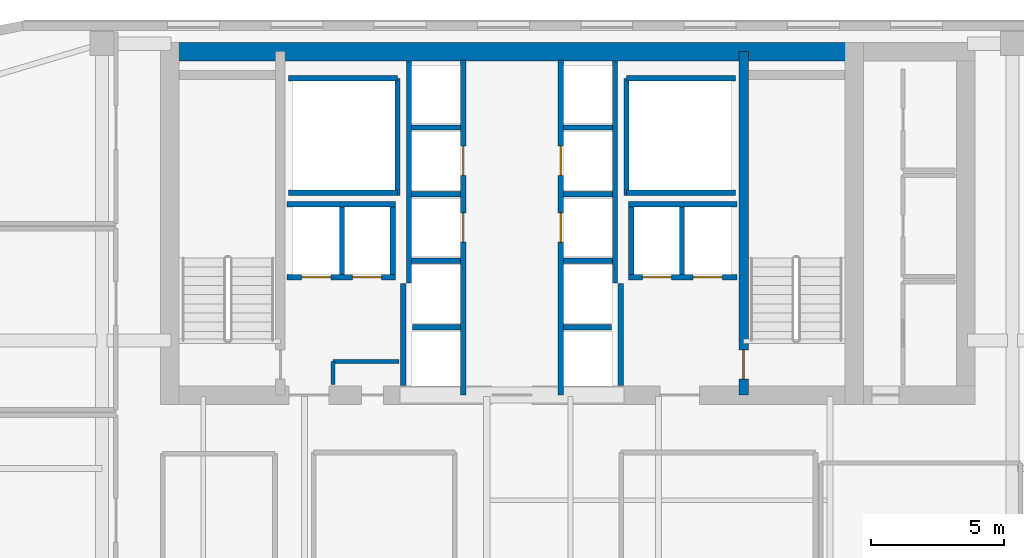
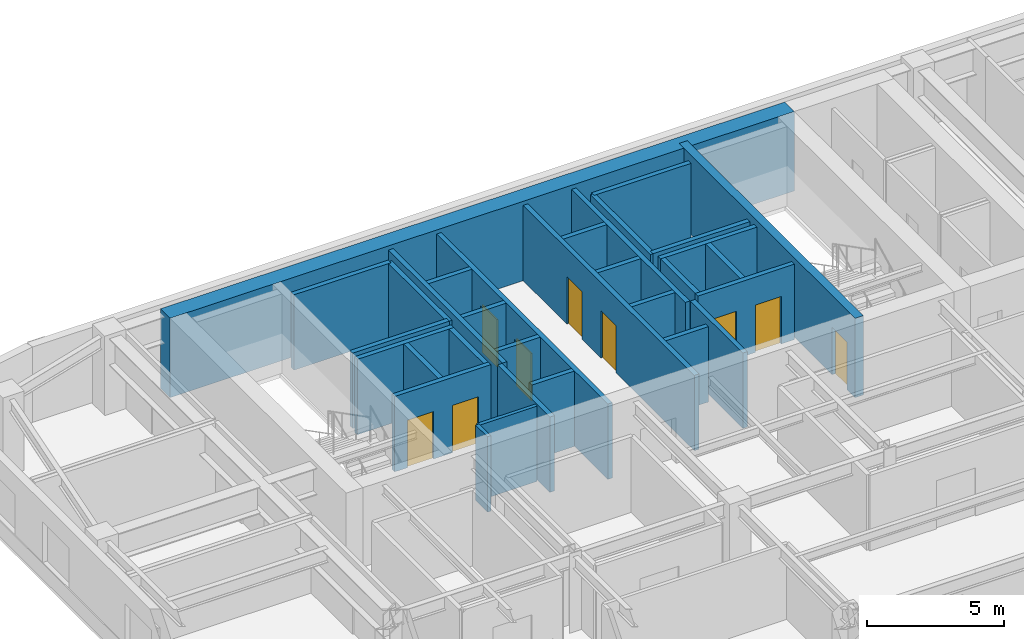
# One storey, part 18 of 25: 32 walls, 9 doors, 9 openings.
"""IFC4 building model written with IfcOpenShell, lengths in metres."""

from ifc_helpers import new_model, si_unit, direction, frame, frame_2d, origin, place, context, subcontext, project, spatial, rectangle, extrude, source, transform, mapped, material, layer, layer_set, type_object, type_shapes, element, fill, save


model = new_model("IFC4")

# Units and contexts
model_context = context("Model", 3, precision=1e-05, world=origin(), true_north=direction((0.0, 1.0)))
body_context = subcontext(model_context, "Body", "Model", "MODEL_VIEW")
ifc_project = project(units=[si_unit("LENGTHUNIT", "METRE"), si_unit("AREAUNIT", "SQUARE_METRE"), si_unit("VOLUMEUNIT", "CUBIC_METRE"), si_unit("PLANEANGLEUNIT", "RADIAN"), si_unit("MASSUNIT", "GRAM", prefix="KILO")], contexts=[model_context])

# Site, building, storey
site_placement = place(None, origin())
site = spatial("IfcSite", under=ifc_project, at=site_placement, CompositionType="ELEMENT")
building_placement = place(site_placement, origin())
building = spatial("IfcBuilding", under=site, at=building_placement, Name="Tolvann Quenvar Hotel", CompositionType="ELEMENT")
storey_placement = place(building_placement, frame((0.0, 0.0, 111.550048828125)))
storey = spatial("IfcBuildingStorey", under=building, at=storey_placement, Name="L28", CompositionType="ELEMENT", Elevation=111.550048828125)

# Wall
ifc_material_1 = material(Name="Concrete S65 (65 MPa)", Category="concrete")
ifc_layer_1 = layer(ifc_material_1, 0.699951171875)
ifc_layer_set_1 = layer_set([ifc_layer_1], Name="Concrete S65 (65 MPa)")
wall_type_1 = type_object("IfcWallType", Name="WALL_CORE_700", PredefinedType="SHEAR", material=ifc_layer_set_1)
wall_1_placement = place(storey_placement, frame((9.800048828125, 44.85009765625, 0.0), z_axis=(0.0, 0.0, 1.0), x_axis=(1.0, 0.0, 0.0)))
element("IfcWall", 1, at=wall_1_placement, inside=storey, type_object=wall_type_1, Name="Rear Core N Shear Wall (L28)", PredefinedType="SHEAR", context=body_context, shape_type="SweptSolid", body=[
    extrude(rectangle(XDim=26.39990234375, YDim=0.699951171875, at=frame_2d((13.199951171875, 0.0))), origin(), (0.0, 0.0, 1.0), 3.550048828125),
])

# Wall, opening, door
ifc_layer_2 = layer(ifc_material_1, 0.35009765625)
ifc_layer_set_2 = layer_set([ifc_layer_2], Name="Concrete S65 (65 MPa)")
wall_type_2 = type_object("IfcWallType", Name="WALL_CORE_INT_350", PredefinedType="SHEAR", material=ifc_layer_set_2)
wall_2_placement = place(storey_placement, frame((31.699951171875, 31.949951171875, 0.0), z_axis=(0.0, 0.0, 1.0), x_axis=(0.0, 1.0, 0.0)))
wall_2 = element("IfcWall", 2, at=wall_2_placement, inside=storey, type_object=wall_type_2, Name="Core Internal Web Shear Wall WEB-E (L28)", PredefinedType="SHEAR", context=body_context, shape_type="SweptSolid", body=[
    extrude(rectangle(XDim=12.900146484375, YDim=0.35009765625, at=frame_2d((6.4501953125, 0.0))), origin(), (0.0, 0.0, 1.0), 3.550048828125),
])
opening_1_placement = place(wall_2_placement, frame((1.7001953125, 0.0, 0.0), z_axis=(0.0, 0.0, 1.0), x_axis=(-1.0, 0.0, 0.0)))
opening_1 = element("IfcOpeningElement", 3, at=opening_1_placement, cuts=wall_2, Name="Opening FD-120", PredefinedType="OPENING", context=body_context, shape_type="SweptSolid", body=[
    extrude(rectangle(XDim=1.10009765625, YDim=2.1201171875, at=frame_2d((0.550048828125, 1.06005859375))), frame((0.0, 0.18505859375, 0.0), z_axis=(0.0, -1.0, 0.0), x_axis=(1.0, 0.0, 0.0)), (0.0, 0.0, 1.0), 0.3701171875),
])
ifc_material_2 = material(Name="Pressed galvanised steel fire-rated door set", Category="steel")
door_type_1 = type_object("IfcDoorType", Name="DOOR_FIRE_STAIR_1100", OperationType="NOTDEFINED", PredefinedType="DOOR", material=ifc_material_2)
shared_shape_1 = source(origin(), body_context, "Body", "SweptSolid", [
    extrude(rectangle(XDim=1.10009765625, YDim=2.1201171875, at=frame_2d((0.550048828125, 1.06005859375))), frame((0.0, 0.02490234375, 0.0), z_axis=(0.0, -1.0, 0.0), x_axis=(1.0, 0.0, 0.0)), (0.0, 0.0, 1.0), 0.050048828125),
])
type_shapes(door_type_1, [shared_shape_1])
door_1_placement = place(opening_1_placement, origin())
door_1 = element("IfcDoor", 4, at=door_1_placement, inside=storey, type_object=door_type_1, Name="Exit Stair ST-C2 Fire Door (L28)", OperationType="SINGLE_SWING_RIGHT", OverallHeight=2.1201171875, OverallWidth=1.10009765625, PredefinedType="DOOR", context=body_context, shape_type="MappedRepresentation", body=[
    mapped(shared_shape_1, transform((0.0, 0.0, 0.0), x_axis=(1.0, 0.0, 0.0), y_axis=(0.0, 1.0, 0.0), z_axis=(0.0, 0.0, 1.0), scale=1.0)),
])
fill(opening_1, door_1)

# Walls
ifc_material_3 = material(Name="Acoustic twin-stud fire-rated gypsum plasterboard partition")
ifc_layer_3 = layer(ifc_material_3, 0.14990234375)
ifc_layer_set_3 = layer_set([ifc_layer_3], Name="Acoustic twin-stud fire-rated gypsum plasterboard partition")
wall_type_3 = type_object("IfcWallType", Name="WALL_PART_SUITE_150", PredefinedType="PARTITIONING", material=ifc_layer_set_3)
wall_3_placement = place(storey_placement, frame((16.280029296875, 33.219970703125, 0.0), z_axis=(0.0, 0.0, 1.0), x_axis=(1.0, 0.0, 0.0)))
element("IfcWall", 5, at=wall_3_placement, inside=storey, type_object=wall_type_3, Name="Interior Partition PT-SPC-L28-CSW-1-N", PredefinedType="PARTITIONING", context=body_context, shape_type="SweptSolid", body=[
    extrude(rectangle(XDim=2.48486328125, YDim=0.14990234375, at=frame_2d((1.242431640625, 0.0))), origin(), (0.0, 0.0, 1.0), 3.369873046875),
])
wall_4_placement = place(storey_placement, frame((16.280029296875, 32.35498046875, 0.0), z_axis=(0.0, 0.0, 1.0), x_axis=(0.0, 1.0, 0.0)))
element("IfcWall", 6, at=wall_4_placement, inside=storey, type_object=wall_type_3, Name="Interior Partition PT-SPC-L28-CSW-1-W", PredefinedType="PARTITIONING", context=body_context, shape_type="SweptSolid", body=[
    extrude(rectangle(XDim=0.864990234375, YDim=0.14990234375, at=frame_2d((0.4326171875, 0.0))), origin(), (0.0, 0.0, 1.0), 3.369873046875),
])
ifc_material_4 = material(Name="Concrete N40 (40 MPa)", Category="concrete")
ifc_layer_4 = layer(ifc_material_4, 0.199951171875)
ifc_layer_set_4 = layer_set([ifc_layer_4], Name="Concrete N40 (40 MPa)")
wall_type_4 = type_object("IfcWallType", Name="WALL_SHAFT_200", PredefinedType="SOLIDWALL", material=ifc_layer_set_4)
wall_5_placement = place(storey_placement, frame((18.699951171875, 39.449951171875, 0.0), z_axis=(0.0, 0.0, 1.0), x_axis=(0.0, 1.0, 0.0)))
element("IfcWall", 7, at=wall_5_placement, inside=storey, type_object=wall_type_4, Name="Service Riser W Shaft Wall IN (L28)", PredefinedType="SOLIDWALL", context=body_context, shape_type="SweptSolid", body=[
    extrude(rectangle(XDim=4.400146484375, YDim=0.199951171875, at=frame_2d((2.2001953125, 0.0))), origin(), (0.0, 0.0, 1.0), 3.369873046875),
])
for number, where, z_axis, x_axis, name in (
    (8, (14.60009765625, 39.550048828125, 0.0), (0.0, 0.0, 1.0), (1.0, 0.0, 0.0), "Service Riser W Shaft Wall S (L28)"),
    (9, (14.60009765625, 43.85009765625, 0.0), (0.0, 0.0, 1.0), (1.0, 0.0, 0.0), "Service Riser W Shaft Wall N (L28)"),
):
    element("IfcWall", number, at=place(storey_placement, frame(where, z_axis=z_axis, x_axis=x_axis)), inside=storey, type_object=wall_type_4, Name=name, PredefinedType="SOLIDWALL", context=body_context, shape_type="SweptSolid", body=[
        extrude(rectangle(XDim=4.099853515625, YDim=0.199951171875, at=frame_2d((2.0498046875, 0.0))), origin(), (0.0, 0.0, 1.0), 3.369873046875),
    ])
wall_6_placement = place(storey_placement, frame((27.300048828125, 39.449951171875, 0.0), z_axis=(0.0, 0.0, 1.0), x_axis=(0.0, 1.0, 0.0)))
element("IfcWall", 10, at=wall_6_placement, inside=storey, type_object=wall_type_4, Name="Service Riser E Shaft Wall IN (L28)", PredefinedType="SOLIDWALL", context=body_context, shape_type="SweptSolid", body=[
    extrude(rectangle(XDim=4.400146484375, YDim=0.199951171875, at=frame_2d((2.2001953125, 0.0))), origin(), (0.0, 0.0, 1.0), 3.369873046875),
])
for number, where, z_axis, x_axis, name in (
    (11, (27.300048828125, 39.550048828125, 0.0), (0.0, 0.0, 1.0), (1.0, 0.0, 0.0), "Service Riser E Shaft Wall S (L28)"),
    (12, (27.300048828125, 43.85009765625, 0.0), (0.0, 0.0, 1.0), (1.0, 0.0, 0.0), "Service Riser E Shaft Wall N (L28)"),
):
    element("IfcWall", number, at=place(storey_placement, frame(where, z_axis=z_axis, x_axis=x_axis)), inside=storey, type_object=wall_type_4, Name=name, PredefinedType="SOLIDWALL", context=body_context, shape_type="SweptSolid", body=[
        extrude(rectangle(XDim=4.099853515625, YDim=0.199951171875, at=frame_2d((2.0498046875, 0.0))), origin(), (0.0, 0.0, 1.0), 3.369873046875),
    ])
for number, where, z_axis, x_axis, name in (
    (13, (18.919921875, 32.303955078125, 0.0), (0.0, 0.0, 1.0), (0.0, 1.0, 0.0), "Firefighting Lobby W Inner Fire Wall (L28)"),
    (14, (27.080078125, 32.303955078125, 0.0), (0.0, 0.0, 1.0), (0.0, 1.0, 0.0), "Firefighting Lobby E Inner Fire Wall (L28)"),
):
    element("IfcWall", number, at=place(storey_placement, frame(where, z_axis=z_axis, x_axis=x_axis)), inside=storey, type_object=wall_type_4, Name=name, PredefinedType="SOLIDWALL", context=body_context, shape_type="SweptSolid", body=[
        extrude(rectangle(XDim=3.845947265625, YDim=0.199951171875, at=frame_2d((1.9228515625, 0.0))), origin(), (0.0, 0.0, 1.0), 3.369873046875),
    ])

# Wall, openings, doors
wall_7_placement = place(storey_placement, frame((21.169921875, 31.9599609375, 0.0), z_axis=(0.0, 0.0, 1.0), x_axis=(0.0, 1.0, 0.0)))
wall_7 = element("IfcWall", 15, at=wall_7_placement, inside=storey, type_object=wall_type_4, Name="Lift Bank E21.1C1 Hoistway Front Wall (L28)", PredefinedType="SOLIDWALL", context=body_context, shape_type="SweptSolid", body=[
    extrude(rectangle(XDim=12.580078125, YDim=0.199951171875, at=frame_2d((6.2900390625, 0.0))), origin(), (0.0, 0.0, 1.0), 3.369873046875),
])
opening_2_placement = place(wall_7_placement, frame((5.739990234375, 0.0, 0.0)))
opening_2 = element("IfcOpeningElement", 16, at=opening_2_placement, cuts=wall_7, Name="Opening LD-01", PredefinedType="OPENING", context=body_context, shape_type="SweptSolid", body=[
    extrude(rectangle(XDim=1.10009765625, YDim=2.1201171875, at=frame_2d((0.550048828125, 1.06005859375))), frame((0.0, 0.10986328125, 0.0), z_axis=(0.0, -1.0, 0.0), x_axis=(1.0, 0.0, 0.0)), (0.0, 0.0, 1.0), 0.219970703125),
])
opening_3_placement = place(wall_7_placement, frame((8.239990234375, 0.0, 0.0)))
opening_3 = element("IfcOpeningElement", 17, at=opening_3_placement, cuts=wall_7, Name="Opening LD-01", PredefinedType="OPENING", context=body_context, shape_type="SweptSolid", body=[
    extrude(rectangle(XDim=1.10009765625, YDim=2.1201171875, at=frame_2d((0.550048828125, 1.06005859375))), frame((0.0, 0.10986328125, 0.0), z_axis=(0.0, -1.0, 0.0), x_axis=(1.0, 0.0, 0.0)), (0.0, 0.0, 1.0), 0.219970703125),
])
ifc_material_5 = material(Name="Brushed 316 stainless steel automatic sliding lift landing door", Category="steel")
door_type_2 = type_object("IfcDoorType", Name="DOOR_LIFT_SLIDE_1100", OperationType="NOTDEFINED", PredefinedType="DOOR", material=ifc_material_5)
shared_shape_2 = source(origin(), body_context, "Body", "SweptSolid", [
    extrude(rectangle(XDim=1.10009765625, YDim=2.1201171875, at=frame_2d((0.550048828125, 1.06005859375))), frame((0.0, 0.02490234375, 0.0), z_axis=(0.0, -1.0, 0.0), x_axis=(1.0, 0.0, 0.0)), (0.0, 0.0, 1.0), 0.050048828125),
])
type_shapes(door_type_2, [shared_shape_2])
door_2_placement = place(opening_2_placement, origin())
door_2 = element("IfcDoor", 18, at=door_2_placement, inside=storey, type_object=door_type_2, Name="Lift PM-1 Sliding Landing Door (L28)", OperationType="SLIDING_TO_RIGHT", OverallHeight=2.1201171875, OverallWidth=1.10009765625, PredefinedType="DOOR", context=body_context, shape_type="MappedRepresentation", body=[
    mapped(shared_shape_2, transform((0.0, 0.0, 0.0), x_axis=(1.0, 0.0, 0.0), y_axis=(0.0, 1.0, 0.0), z_axis=(0.0, 0.0, 1.0), scale=1.0)),
])
fill(opening_2, door_2)
door_3_placement = place(opening_3_placement, origin())
door_3 = element("IfcDoor", 19, at=door_3_placement, inside=storey, type_object=door_type_2, Name="Lift PM-2 Sliding Landing Door (L28)", OperationType="SLIDING_TO_LEFT", OverallHeight=2.1201171875, OverallWidth=1.10009765625, PredefinedType="DOOR", context=body_context, shape_type="MappedRepresentation", body=[
    mapped(shared_shape_2, transform((0.0, 0.0, 0.0), x_axis=(1.0, 0.0, 0.0), y_axis=(0.0, 1.0, 0.0), z_axis=(0.0, 0.0, 1.0), scale=1.0)),
])
fill(opening_3, door_3)

# Walls
wall_8_placement = place(storey_placement, frame((19.1298828125, 36.159912109375, 0.0), z_axis=(0.0, 0.0, 1.0), x_axis=(0.0, 1.0, 0.0)))
element("IfcWall", 20, at=wall_8_placement, inside=storey, type_object=wall_type_4, Name="Lift Bank E21.1C1 Hoistway Rear Wall (L28)", PredefinedType="SOLIDWALL", context=body_context, shape_type="SweptSolid", body=[
    extrude(rectangle(XDim=8.336181640625, YDim=0.199951171875, at=frame_2d((4.16796875, 0.0))), origin(), (0.0, 0.0, 1.0), 3.369873046875),
])
wall_9_placement = place(storey_placement, frame((19.27001953125, 34.5, 0.0), z_axis=(0.0, 0.0, 1.0), x_axis=(1.0, 0.0, 0.0)))
element("IfcWall", 21, at=wall_9_placement, inside=storey, type_object=wall_type_4, Name="Lift Bank E21.1C1 Divider Wall 1 (L28)", PredefinedType="SOLIDWALL", context=body_context, shape_type="SweptSolid", body=[
    extrude(rectangle(XDim=1.800048828125, YDim=0.199951171875, at=frame_2d((0.89990234375, 0.0))), origin(), (0.0, 0.0, 1.0), 3.369873046875),
])
for number, where, z_axis, x_axis, name in (
    (22, (19.22998046875, 37.0, 0.0), (0.0, 0.0, 1.0), (1.0, 0.0, 0.0), "Lift Bank E21.1C1 Divider Wall 2 (L28)"),
    (23, (19.22998046875, 39.5, 0.0), (0.0, 0.0, 1.0), (1.0, 0.0, 0.0), "Lift Bank E21.1C1 Divider Wall 3 (L28)"),
    (24, (19.22998046875, 42.0, 0.0), (0.0, 0.0, 1.0), (1.0, 0.0, 0.0), "Lift Bank E21.1C1 Divider Wall 4 (L28)"),
):
    element("IfcWall", number, at=place(storey_placement, frame(where, z_axis=z_axis, x_axis=x_axis)), inside=storey, type_object=wall_type_4, Name=name, PredefinedType="SOLIDWALL", context=body_context, shape_type="SweptSolid", body=[
        extrude(rectangle(XDim=1.840087890625, YDim=0.199951171875, at=frame_2d((0.919921875, 0.0))), origin(), (0.0, 0.0, 1.0), 3.369873046875),
    ])

# Wall, openings, doors
wall_10_placement = place(storey_placement, frame((27.375, 36.3798828125, 0.0), z_axis=(0.0, 0.0, 1.0), x_axis=(1.0, 0.0, 0.0)))
wall_10 = element("IfcWall", 25, at=wall_10_placement, inside=storey, type_object=wall_type_4, Name="Lift Bank SEC1 Hoistway Front Wall (L28)", PredefinedType="SOLIDWALL", context=body_context, shape_type="SweptSolid", body=[
    extrude(rectangle(XDim=4.074951171875, YDim=0.199951171875, at=frame_2d((2.03759765625, 0.0))), origin(), (0.0, 0.0, 1.0), 3.369873046875),
])
opening_4_placement = place(wall_10_placement, frame((0.52490234375, 0.0, 0.0)))
opening_4 = element("IfcOpeningElement", 26, at=opening_4_placement, cuts=wall_10, Name="Opening LD-01", PredefinedType="OPENING", context=body_context, shape_type="SweptSolid", body=[
    extrude(rectangle(XDim=1.10009765625, YDim=2.1201171875, at=frame_2d((0.550048828125, 1.06005859375))), frame((0.0, 0.10986328125, 0.0), z_axis=(0.0, -1.0, 0.0), x_axis=(1.0, 0.0, 0.0)), (0.0, 0.0, 1.0), 0.219970703125),
])
opening_5_placement = place(wall_10_placement, frame((2.425048828125, 0.0, 0.0)))
opening_5 = element("IfcOpeningElement", 27, at=opening_5_placement, cuts=wall_10, Name="Opening LD-01", PredefinedType="OPENING", context=body_context, shape_type="SweptSolid", body=[
    extrude(rectangle(XDim=1.10009765625, YDim=2.1201171875, at=frame_2d((0.550048828125, 1.06005859375))), frame((0.0, 0.10986328125, 0.0), z_axis=(0.0, -1.0, 0.0), x_axis=(1.0, 0.0, 0.0)), (0.0, 0.0, 1.0), 0.219970703125),
])
door_4_placement = place(opening_4_placement, origin())
door_4 = element("IfcDoor", 28, at=door_4_placement, inside=storey, type_object=door_type_2, Name="Lift SV-2 Sliding Landing Door (L28)", OperationType="SLIDING_TO_LEFT", OverallHeight=2.1201171875, OverallWidth=1.10009765625, PredefinedType="DOOR", context=body_context, shape_type="MappedRepresentation", body=[
    mapped(shared_shape_2, transform((0.0, 0.0, 0.0), x_axis=(1.0, 0.0, 0.0), y_axis=(0.0, 1.0, 0.0), z_axis=(0.0, 0.0, 1.0), scale=1.0)),
])
fill(opening_4, door_4)
door_5_placement = place(opening_5_placement, origin())
door_5 = element("IfcDoor", 29, at=door_5_placement, inside=storey, type_object=door_type_2, Name="Lift FF-2 Sliding Landing Door (L28)", OperationType="SLIDING_TO_RIGHT", OverallHeight=2.1201171875, OverallWidth=1.10009765625, PredefinedType="DOOR", context=body_context, shape_type="MappedRepresentation", body=[
    mapped(shared_shape_2, transform((0.0, 0.0, 0.0), x_axis=(1.0, 0.0, 0.0), y_axis=(0.0, 1.0, 0.0), z_axis=(0.0, 0.0, 1.0), scale=1.0)),
])
fill(opening_5, door_5)

# Walls
wall_11_placement = place(storey_placement, frame((27.375, 39.1201171875, 0.0), z_axis=(0.0, 0.0, 1.0), x_axis=(1.0, 0.0, 0.0)))
element("IfcWall", 30, at=wall_11_placement, inside=storey, type_object=wall_type_4, Name="Lift Bank SEC1 Hoistway Rear Wall (L28)", PredefinedType="SOLIDWALL", context=body_context, shape_type="SweptSolid", body=[
    extrude(rectangle(XDim=4.074951171875, YDim=0.199951171875, at=frame_2d((2.03759765625, 0.0))), origin(), (0.0, 0.0, 1.0), 3.369873046875),
])
for number, where, z_axis, x_axis, name in (
    (31, (27.47509765625, 36.47998046875, 0.0), (0.0, 0.0, 1.0), (0.0, 1.0, 0.0), "Lift Bank SEC1 Hoistway Cheek Wall 1 (L28)"),
    (32, (29.387451171875, 36.47998046875, 0.0), (0.0, 0.0, 1.0), (0.0, 1.0, 0.0), "Lift Bank SEC1 Divider Wall 1 (L28)"),
):
    element("IfcWall", number, at=place(storey_placement, frame(where, z_axis=z_axis, x_axis=x_axis)), inside=storey, type_object=wall_type_4, Name=name, PredefinedType="SOLIDWALL", context=body_context, shape_type="SweptSolid", body=[
        extrude(rectangle(XDim=2.5400390625, YDim=0.199951171875, at=frame_2d((1.27001953125, 0.0))), origin(), (0.0, 0.0, 1.0), 3.369873046875),
    ])

# Wall, openings, doors
wall_12_placement = place(storey_placement, frame((14.550048828125, 36.3798828125, 0.0), z_axis=(0.0, 0.0, 1.0), x_axis=(1.0, 0.0, 0.0)))
wall_12 = element("IfcWall", 33, at=wall_12_placement, inside=storey, type_object=wall_type_4, Name="Lift Bank SWC1 Hoistway Front Wall (L28)", PredefinedType="SOLIDWALL", context=body_context, shape_type="SweptSolid", body=[
    extrude(rectangle(XDim=4.074951171875, YDim=0.199951171875, at=frame_2d((2.03759765625, 0.0))), origin(), (0.0, 0.0, 1.0), 3.369873046875),
])
opening_6_placement = place(wall_12_placement, frame((0.550048828125, 0.0, 0.0)))
opening_6 = element("IfcOpeningElement", 34, at=opening_6_placement, cuts=wall_12, Name="Opening LD-01", PredefinedType="OPENING", context=body_context, shape_type="SweptSolid", body=[
    extrude(rectangle(XDim=1.10009765625, YDim=2.1201171875, at=frame_2d((0.550048828125, 1.06005859375))), frame((0.0, 0.10986328125, 0.0), z_axis=(0.0, -1.0, 0.0), x_axis=(1.0, 0.0, 0.0)), (0.0, 0.0, 1.0), 0.219970703125),
])
opening_7_placement = place(wall_12_placement, frame((2.449951171875, 0.0, 0.0)))
opening_7 = element("IfcOpeningElement", 35, at=opening_7_placement, cuts=wall_12, Name="Opening LD-01", PredefinedType="OPENING", context=body_context, shape_type="SweptSolid", body=[
    extrude(rectangle(XDim=1.10009765625, YDim=2.1201171875, at=frame_2d((0.550048828125, 1.06005859375))), frame((0.0, 0.10986328125, 0.0), z_axis=(0.0, -1.0, 0.0), x_axis=(1.0, 0.0, 0.0)), (0.0, 0.0, 1.0), 0.219970703125),
])
door_6_placement = place(opening_6_placement, origin())
door_6 = element("IfcDoor", 36, at=door_6_placement, inside=storey, type_object=door_type_2, Name="Lift FF-1 Sliding Landing Door (L28)", OperationType="SLIDING_TO_LEFT", OverallHeight=2.1201171875, OverallWidth=1.10009765625, PredefinedType="DOOR", context=body_context, shape_type="MappedRepresentation", body=[
    mapped(shared_shape_2, transform((0.0, 0.0, 0.0), x_axis=(1.0, 0.0, 0.0), y_axis=(0.0, 1.0, 0.0), z_axis=(0.0, 0.0, 1.0), scale=1.0)),
])
fill(opening_6, door_6)
door_7_placement = place(opening_7_placement, origin())
door_7 = element("IfcDoor", 37, at=door_7_placement, inside=storey, type_object=door_type_2, Name="Lift SV-1 Sliding Landing Door (L28)", OperationType="SLIDING_TO_RIGHT", OverallHeight=2.1201171875, OverallWidth=1.10009765625, PredefinedType="DOOR", context=body_context, shape_type="MappedRepresentation", body=[
    mapped(shared_shape_2, transform((0.0, 0.0, 0.0), x_axis=(1.0, 0.0, 0.0), y_axis=(0.0, 1.0, 0.0), z_axis=(0.0, 0.0, 1.0), scale=1.0)),
])
fill(opening_7, door_7)

# Walls
wall_13_placement = place(storey_placement, frame((14.550048828125, 39.1201171875, 0.0), z_axis=(0.0, 0.0, 1.0), x_axis=(1.0, 0.0, 0.0)))
element("IfcWall", 38, at=wall_13_placement, inside=storey, type_object=wall_type_4, Name="Lift Bank SWC1 Hoistway Rear Wall (L28)", PredefinedType="SOLIDWALL", context=body_context, shape_type="SweptSolid", body=[
    extrude(rectangle(XDim=4.074951171875, YDim=0.199951171875, at=frame_2d((2.03759765625, 0.0))), origin(), (0.0, 0.0, 1.0), 3.369873046875),
])
for number, where, z_axis, x_axis, name in (
    (39, (18.52490234375, 36.47998046875, 0.0), (0.0, 0.0, 1.0), (0.0, 1.0, 0.0), "Lift Bank SWC1 Hoistway Cheek Wall 2 (L28)"),
    (40, (16.612548828125, 36.47998046875, 0.0), (0.0, 0.0, 1.0), (0.0, 1.0, 0.0), "Lift Bank SWC1 Divider Wall 1 (L28)"),
):
    element("IfcWall", number, at=place(storey_placement, frame(where, z_axis=z_axis, x_axis=x_axis)), inside=storey, type_object=wall_type_4, Name=name, PredefinedType="SOLIDWALL", context=body_context, shape_type="SweptSolid", body=[
        extrude(rectangle(XDim=2.5400390625, YDim=0.199951171875, at=frame_2d((1.27001953125, 0.0))), origin(), (0.0, 0.0, 1.0), 3.369873046875),
    ])

# Wall, openings, doors
wall_14_placement = place(storey_placement, frame((24.830078125, 31.9599609375, 0.0), z_axis=(0.0, 0.0, 1.0), x_axis=(0.0, 1.0, 0.0)))
wall_14 = element("IfcWall", 41, at=wall_14_placement, inside=storey, type_object=wall_type_4, Name="Lift Bank W24.9C1 Hoistway Front Wall (L28)", PredefinedType="SOLIDWALL", context=body_context, shape_type="SweptSolid", body=[
    extrude(rectangle(XDim=12.580078125, YDim=0.199951171875, at=frame_2d((6.2900390625, 0.0))), origin(), (0.0, 0.0, 1.0), 3.369873046875),
])
opening_8_placement = place(wall_14_placement, frame((5.739990234375, 0.0, 0.0)))
opening_8 = element("IfcOpeningElement", 42, at=opening_8_placement, cuts=wall_14, Name="Opening LD-01", PredefinedType="OPENING", context=body_context, shape_type="SweptSolid", body=[
    extrude(rectangle(XDim=1.10009765625, YDim=2.1201171875, at=frame_2d((0.550048828125, 1.06005859375))), frame((0.0, 0.10986328125, 0.0), z_axis=(0.0, -1.0, 0.0), x_axis=(1.0, 0.0, 0.0)), (0.0, 0.0, 1.0), 0.219970703125),
])
opening_9_placement = place(wall_14_placement, frame((8.239990234375, 0.0, 0.0)))
opening_9 = element("IfcOpeningElement", 43, at=opening_9_placement, cuts=wall_14, Name="Opening LD-01", PredefinedType="OPENING", context=body_context, shape_type="SweptSolid", body=[
    extrude(rectangle(XDim=1.10009765625, YDim=2.1201171875, at=frame_2d((0.550048828125, 1.06005859375))), frame((0.0, 0.10986328125, 0.0), z_axis=(0.0, -1.0, 0.0), x_axis=(1.0, 0.0, 0.0)), (0.0, 0.0, 1.0), 0.219970703125),
])
door_8_placement = place(opening_8_placement, origin())
door_8 = element("IfcDoor", 44, at=door_8_placement, inside=storey, type_object=door_type_2, Name="Lift PM-3 Sliding Landing Door (L28)", OperationType="SLIDING_TO_RIGHT", OverallHeight=2.1201171875, OverallWidth=1.10009765625, PredefinedType="DOOR", context=body_context, shape_type="MappedRepresentation", body=[
    mapped(shared_shape_2, transform((0.0, 0.0, 0.0), x_axis=(1.0, 0.0, 0.0), y_axis=(0.0, 1.0, 0.0), z_axis=(0.0, 0.0, 1.0), scale=1.0)),
])
fill(opening_8, door_8)
door_9_placement = place(opening_9_placement, origin())
door_9 = element("IfcDoor", 45, at=door_9_placement, inside=storey, type_object=door_type_2, Name="Lift PM-4 Sliding Landing Door (L28)", OperationType="SLIDING_TO_LEFT", OverallHeight=2.1201171875, OverallWidth=1.10009765625, PredefinedType="DOOR", context=body_context, shape_type="MappedRepresentation", body=[
    mapped(shared_shape_2, transform((0.0, 0.0, 0.0), x_axis=(1.0, 0.0, 0.0), y_axis=(0.0, 1.0, 0.0), z_axis=(0.0, 0.0, 1.0), scale=1.0)),
])
fill(opening_9, door_9)

# Walls
wall_15_placement = place(storey_placement, frame((26.8701171875, 36.159912109375, 0.0), z_axis=(0.0, 0.0, 1.0), x_axis=(0.0, 1.0, 0.0)))
element("IfcWall", 46, at=wall_15_placement, inside=storey, type_object=wall_type_4, Name="Lift Bank W24.9C1 Hoistway Rear Wall (L28)", PredefinedType="SOLIDWALL", context=body_context, shape_type="SweptSolid", body=[
    extrude(rectangle(XDim=8.336181640625, YDim=0.199951171875, at=frame_2d((4.16796875, 0.0))), origin(), (0.0, 0.0, 1.0), 3.369873046875),
])
wall_16_placement = place(storey_placement, frame((24.929931640625, 34.5, 0.0), z_axis=(0.0, 0.0, 1.0), x_axis=(1.0, 0.0, 0.0)))
element("IfcWall", 47, at=wall_16_placement, inside=storey, type_object=wall_type_4, Name="Lift Bank W24.9C1 Divider Wall 1 (L28)", PredefinedType="SOLIDWALL", context=body_context, shape_type="SweptSolid", body=[
    extrude(rectangle(XDim=1.800048828125, YDim=0.199951171875, at=frame_2d((0.89990234375, 0.0))), origin(), (0.0, 0.0, 1.0), 3.369873046875),
])
for number, where, z_axis, x_axis, name in (
    (48, (24.929931640625, 37.0, 0.0), (0.0, 0.0, 1.0), (1.0, 0.0, 0.0), "Lift Bank W24.9C1 Divider Wall 2 (L28)"),
    (49, (24.929931640625, 39.5, 0.0), (0.0, 0.0, 1.0), (1.0, 0.0, 0.0), "Lift Bank W24.9C1 Divider Wall 3 (L28)"),
    (50, (24.929931640625, 42.0, 0.0), (0.0, 0.0, 1.0), (1.0, 0.0, 0.0), "Lift Bank W24.9C1 Divider Wall 4 (L28)"),
):
    element("IfcWall", number, at=place(storey_placement, frame(where, z_axis=z_axis, x_axis=x_axis)), inside=storey, type_object=wall_type_4, Name=name, PredefinedType="SOLIDWALL", context=body_context, shape_type="SweptSolid", body=[
        extrude(rectangle(XDim=1.840087890625, YDim=0.199951171875, at=frame_2d((0.919921875, 0.0))), origin(), (0.0, 0.0, 1.0), 3.369873046875),
    ])

save(model, "model.ifc")
